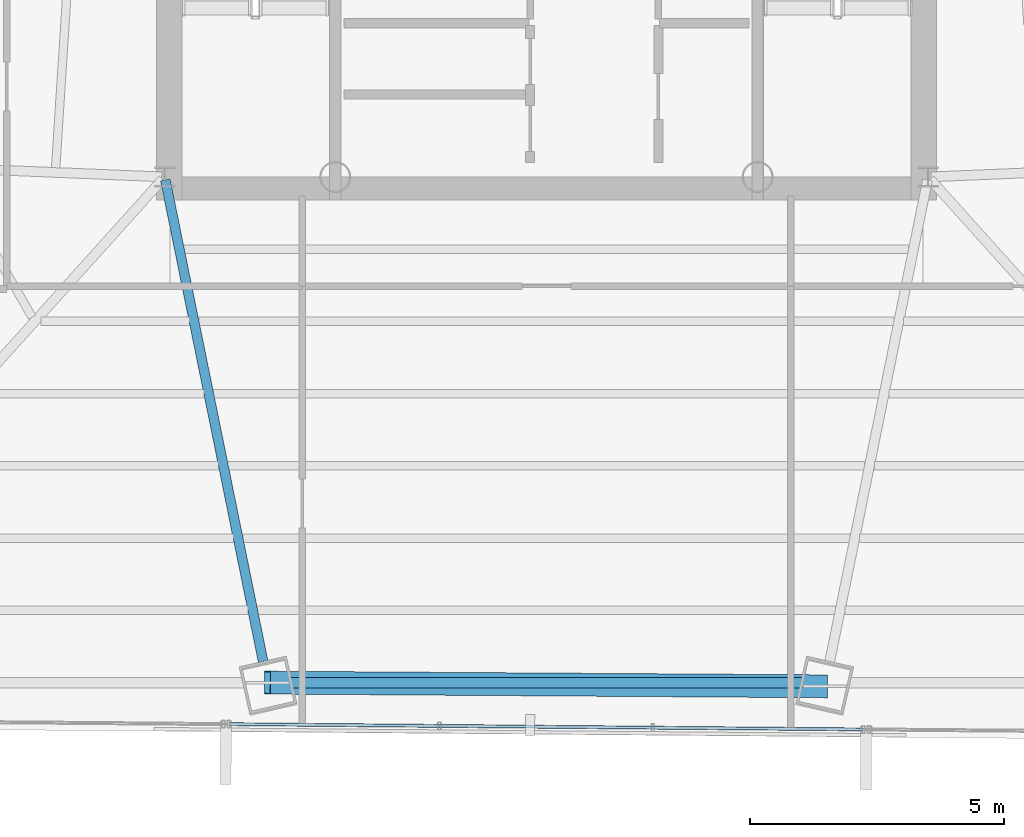
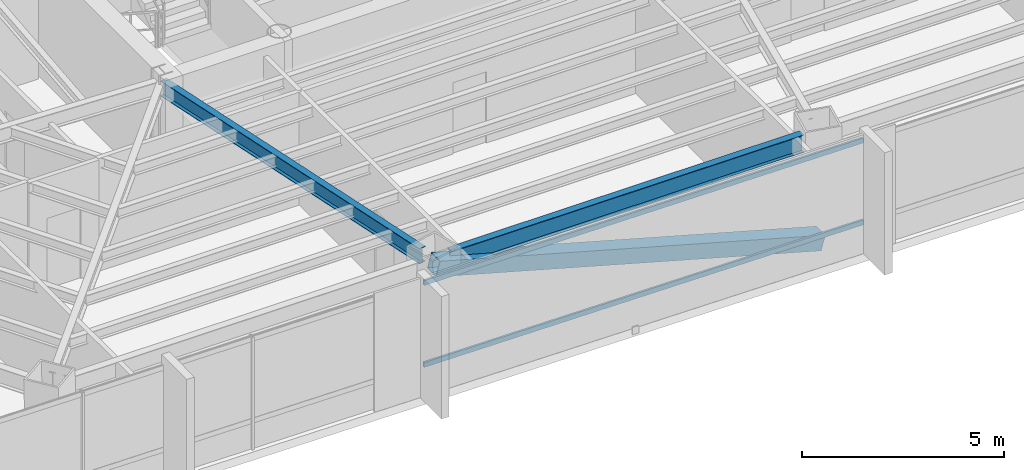
# One storey, part 9 of 38: 3 members, 2 beams, 1 element without a shape of its own.
"""IFC4 building model written with IfcOpenShell, lengths in metres."""

from ifc_helpers import new_model, si_unit, direction, frame, origin, origin_2d, place, context, subcontext, project, spatial, hollow_rectangle, i_section, extrude, source, transform, mapped, material, material_profile, profile_set, type_object, type_shapes, element, aggregate, save


model = new_model("IFC4")

# Units and contexts
model_context = context("Model", 3, precision=1e-05, world=origin(), true_north=direction((0.0, 1.0)))
body_context = subcontext(model_context, "Body", "Model", "MODEL_VIEW")
ifc_project = project(units=[si_unit("LENGTHUNIT", "METRE"), si_unit("AREAUNIT", "SQUARE_METRE"), si_unit("VOLUMEUNIT", "CUBIC_METRE"), si_unit("PLANEANGLEUNIT", "RADIAN"), si_unit("MASSUNIT", "GRAM", prefix="KILO")], contexts=[model_context])

# Site, building, storey
site_placement = place(None, origin())
site = spatial("IfcSite", under=ifc_project, at=site_placement, CompositionType="ELEMENT")
building_placement = place(site_placement, origin())
building = spatial("IfcBuilding", under=site, at=building_placement, Name="Caelisora Broadcast Tower", CompositionType="ELEMENT")
storey_placement = place(building_placement, frame((0.0, 0.0, 158.5)))
storey = spatial("IfcBuildingStorey", under=building, at=storey_placement, Name="L41", CompositionType="ELEMENT", Elevation=158.5)

# Beams
ifc_material_1 = material(Name="Steel Grade 350 (AS/NZS 3679.1)", Category="steel")
ifc_material_profile_1 = material_profile(ifc_material_1, i_section(OverallWidth=0.208984375, OverallDepth=0.532958984375, WebThickness=0.01025390625, FlangeThickness=0.015625, at=origin_2d()), Name="Steel Grade 350 (AS/NZS 3679.1)")
ifc_profile_set_1 = profile_set([ifc_material_profile_1], Name="Steel Grade 350 (AS/NZS 3679.1)")
beam_type_1 = type_object("IfcBeamType", Name="PG05", PredefinedType="BEAM", material=ifc_profile_set_1)
shared_shape_1 = source(origin(), body_context, "Body", "SweptSolid", [
    extrude(i_section(OverallWidth=0.208984375, OverallDepth=0.532958984375, WebThickness=0.01025390625, FlangeThickness=0.015625, at=origin_2d()), origin(), (0.0, 0.0, 1.0), 10.04296875),
])
type_shapes(beam_type_1, [shared_shape_1])
beam_1_placement = place(storey_placement, frame((32.978515625, 7.465087890625, 3.133544921875), z_axis=(1.0, 0.0, 0.0), x_axis=(0.0, 1.0, 0.0)))
element("IfcBeam", 1, at=beam_1_placement, inside=storey, type_object=beam_type_1, Name="L41 beam PG05", PredefinedType="BEAM", context=body_context, shape_type="MappedRepresentation", body=[
    mapped(shared_shape_1, transform((0.0, 0.0, 0.0), scale=1.0)),
])
ifc_material_profile_2 = material_profile(ifc_material_1, i_section(OverallWidth=0.19091796875, OverallDepth=0.46044921875, WebThickness=0.010009765625, FlangeThickness=0.01611328125, at=origin_2d()), Name="Steel Grade 350 (AS/NZS 3679.1)")
ifc_profile_set_2 = profile_set([ifc_material_profile_2], Name="Steel Grade 350 (AS/NZS 3679.1)")
beam_type_2 = type_object("IfcBeamType", Name="PG06", PredefinedType="BEAM", material=ifc_profile_set_2)
shared_shape_2 = source(origin(), body_context, "Body", "SweptSolid", [
    extrude(i_section(OverallWidth=0.19091796875, OverallDepth=0.46044921875, WebThickness=0.010009765625, FlangeThickness=0.01611328125, at=origin_2d()), origin(), (0.0, 0.0, 1.0), 9.657958984375),
])
type_shapes(beam_type_2, [shared_shape_2])
beam_2_placement = place(storey_placement, frame((30.511962890625, 17.34130859375, 3.169921875), z_axis=(0.199095201756, -0.979980153186, 0.0), x_axis=(0.979980153186, 0.199095201756, 0.0)))
element("IfcBeam", 2, at=beam_2_placement, inside=storey, type_object=beam_type_2, Name="L41 beam PG06", PredefinedType="BEAM", context=body_context, shape_type="MappedRepresentation", body=[
    mapped(shared_shape_2, transform((0.0, 0.0, 0.0), scale=1.0)),
])

# Member
ifc_material_2 = material(Name="Steel Grade 450 (AS/NZS 1163 C450L0)", Category="steel")
ifc_material_profile_3 = material_profile(ifc_material_2, hollow_rectangle(XDim=0.449951171875, YDim=0.449951171875, WallThickness=0.01611328125, at=origin_2d()), Name="Steel Grade 450 (AS/NZS 1163 C450L0)")
ifc_profile_set_3 = profile_set([ifc_material_profile_3], Name="Steel Grade 450 (AS/NZS 1163 C450L0)")
member_type_1 = type_object("IfcMemberType", Name="BR03", PredefinedType="BRACE", material=ifc_profile_set_3)
shared_shape_3 = source(origin(), body_context, "Body", "SweptSolid", [
    extrude(hollow_rectangle(XDim=0.449951171875, YDim=0.449951171875, WallThickness=0.01611328125, at=origin_2d()), origin(), (0.0, 0.0, 1.0), 11.350341796875),
])
type_shapes(member_type_1, [shared_shape_3])
member_1_placement = place(storey_placement, frame((32.5185546875, 7.465087890625, 3.10009765625), z_axis=(0.964417410438, -0.006366785322, -0.264307628509), x_axis=(0.006601546714, 0.999978209553, 0.0)))
element("IfcMember", 3, at=member_1_placement, inside=storey, type_object=member_type_1, Name="L41 perimeter brace BR03", PredefinedType="BRACE", context=body_context, shape_type="MappedRepresentation", body=[
    mapped(shared_shape_3, transform((0.0, 0.0, 0.0), scale=1.0)),
])

# Curtain wall, members
ifc_material_3 = material(Name="Unitised Aluminium Insulated Shadow-Box Spandrel Curtain Wall", Category="aluminium")
curtain_wall_type = type_object("IfcCurtainWallType", Name="CW-SP2", PredefinedType="NOTDEFINED", material=ifc_material_3)
curtain_wall_placement = place(storey_placement, origin())
curtain_wall = element("IfcCurtainWall", 4, at=curtain_wall_placement, inside=storey, type_object=curtain_wall_type, Name="L41 curtain wall CW-SP2", PredefinedType="NOTDEFINED")
ifc_material_4 = material(Name="Aluminium 6063-T6 Anodised Terracotta Bronze", Category="aluminium")
ifc_material_profile_4 = material_profile(ifc_material_4, hollow_rectangle(XDim=0.06005859375, YDim=0.14990234375, WallThickness=0.00341796875, at=origin_2d()), Name="Aluminium 6063-T6 Anodised Terracotta Bronze")
ifc_profile_set_4 = profile_set([ifc_material_profile_4], Name="Aluminium 6063-T6 Anodised Terracotta Bronze")
member_type_2 = type_object("IfcMemberType", Name="CWT-02", PredefinedType="USERDEFINED", material=ifc_profile_set_4)
shared_shape_4 = source(origin(), body_context, "Body", "SweptSolid", [
    extrude(hollow_rectangle(XDim=0.06005859375, YDim=0.14990234375, WallThickness=0.00341796875, at=origin_2d()), origin(), (0.0, 0.0, 1.0), 12.4697265625),
])
type_shapes(member_type_2, [shared_shape_4])
member_2_placement = place(storey_placement, frame((44.22802734375, 6.54541015625, 0.85009765625), z_axis=(-0.999965380119, 0.008320971268, 0.0), x_axis=(-0.008320971268, -0.999965380119, 0.0)))
member_2 = element("IfcMember", 5, at=member_2_placement, type_object=member_type_2, Name="L41-CW-B06 transom #1", ObjectType="TRANSOM", PredefinedType="USERDEFINED", context=body_context, shape_type="MappedRepresentation", body=[
    mapped(shared_shape_4, transform((0.0, 0.0, 0.0), scale=1.0)),
])
member_3_placement = place(storey_placement, frame((44.22802734375, 6.54541015625, 3.320068359375), z_axis=(-0.999965380119, 0.008320971268, 0.0), x_axis=(-0.008320971268, -0.999965380119, 0.0)))
member_3 = element("IfcMember", 6, at=member_3_placement, type_object=member_type_2, Name="L41-CW-B06 transom #2", ObjectType="TRANSOM", PredefinedType="USERDEFINED", context=body_context, shape_type="MappedRepresentation", body=[
    mapped(shared_shape_4, transform((0.0, 0.0, 0.0), scale=1.0)),
])
aggregate(curtain_wall, [member_2, member_3])

save(model, "model.ifc")
